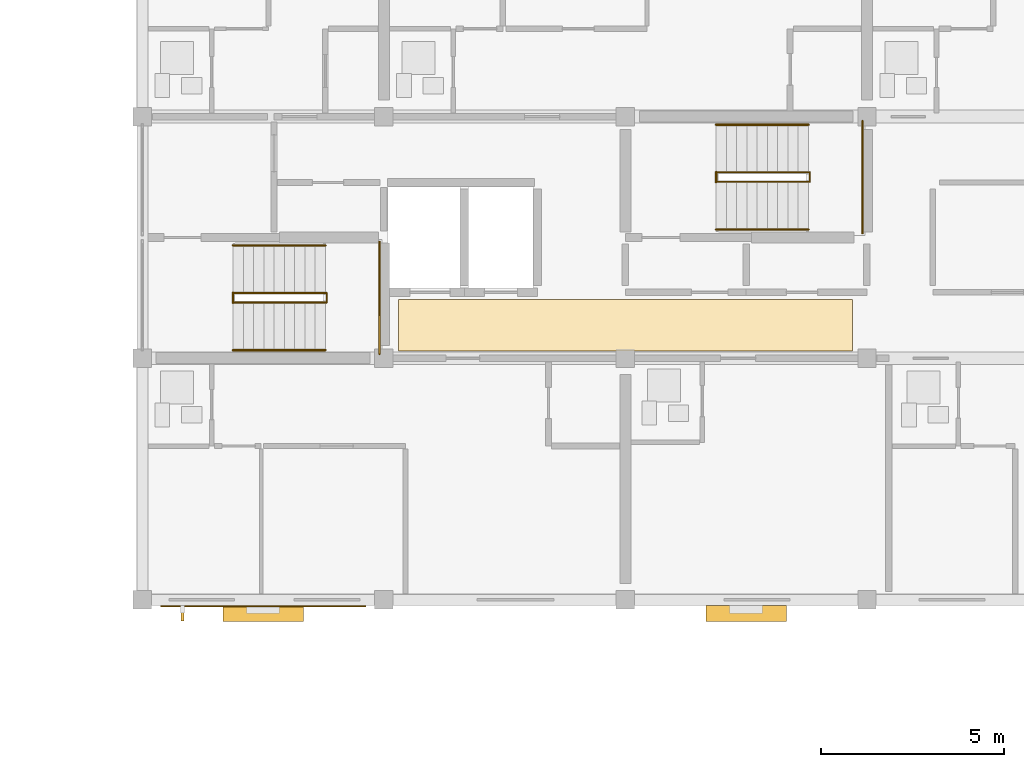
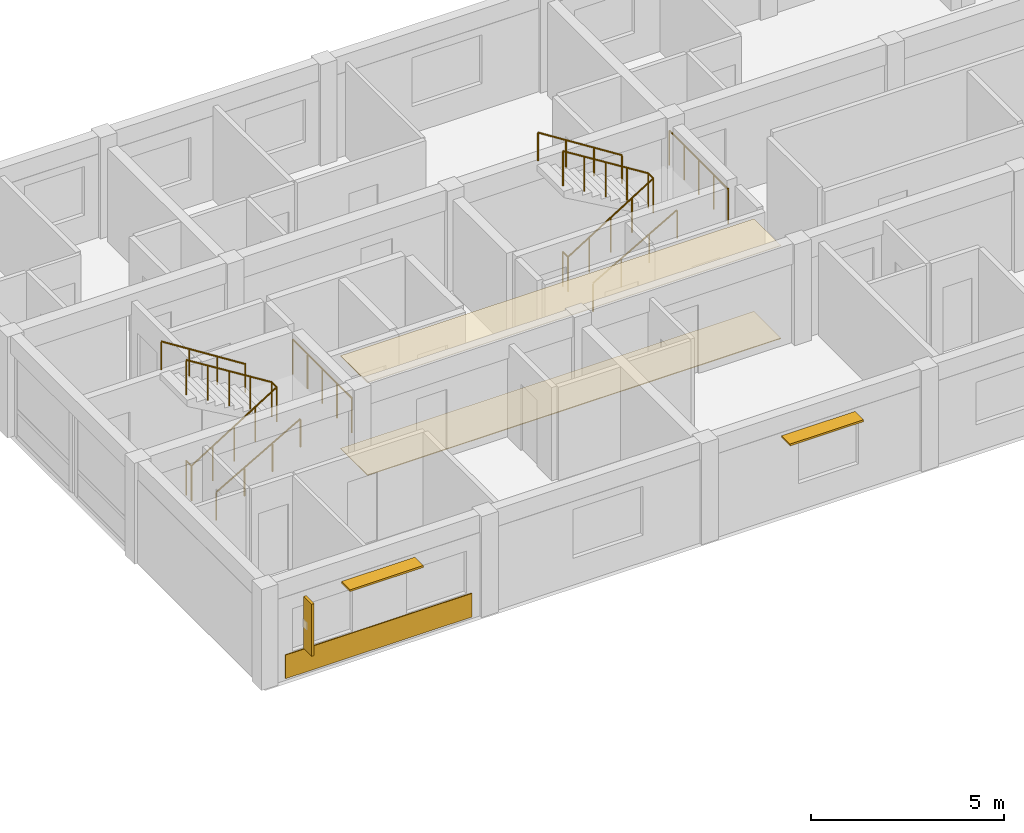
# One storey, part 51 of 53: 10 railings, 3 coverings, 3 shading devices.
"""IFC4 building model written with IfcOpenShell, lengths in metres."""

from ifc_helpers import new_model, si_unit, direction, frame, origin, origin_2d, place, context, subcontext, project, spatial, polyline, rectangle, circle, outline, extrude, material, layer, layer_set, type_object, element, save


model = new_model("IFC4")

# Units and contexts
model_context = context("Model", 3, precision=1e-05, world=origin(), true_north=direction((0.0, 1.0)))
body_context = subcontext(model_context, "Body", "Model", "MODEL_VIEW")
ifc_project = project(units=[si_unit("LENGTHUNIT", "METRE"), si_unit("AREAUNIT", "SQUARE_METRE"), si_unit("VOLUMEUNIT", "CUBIC_METRE"), si_unit("PLANEANGLEUNIT", "RADIAN"), si_unit("MASSUNIT", "GRAM", prefix="KILO")], contexts=[model_context])

# Site, building, storey
site_placement = place(None, origin())
site = spatial("IfcSite", under=ifc_project, at=site_placement, CompositionType="ELEMENT")
building_placement = place(site_placement, origin())
building = spatial("IfcBuilding", under=site, at=building_placement, Name="Kernevlak Ridge Housing Community", CompositionType="ELEMENT")
storey_placement = place(building_placement, frame((0.0, 0.0, 18.0)))
storey = spatial("IfcBuildingStorey", under=building, at=storey_placement, Name="L05", CompositionType="ELEMENT", Elevation=18.0)

# Coverings
ifc_material_1 = material(Name="Acoustic perforated gypsum ceiling board")
ifc_layer_1 = layer(ifc_material_1, 0.02001953125, Name="Acoustic perforated gypsum ceiling board")
ifc_layer_set_1 = layer_set([ifc_layer_1], Name="Acoustic perforated gypsum ceiling board")
covering_type_1 = type_object("IfcCoveringType", Name="CV-01", PredefinedType="CEILING", material=ifc_layer_set_1)
covering_1_placement = place(storey_placement, frame((0.0, 0.0, 2.93994140625)))
element("IfcCovering", 1, at=covering_1_placement, inside=storey, type_object=covering_type_1, Name="Block B L05 lobby acoustic ceiling", PredefinedType="CEILING", context=body_context, shape_type="SweptSolid", body=[
    extrude(outline(polyline([(126.39990234375, 89.39990234375), (138.800048828125, 89.39990234375), (138.800048828125, 90.800048828125), (126.39990234375, 90.800048828125), (126.39990234375, 89.39990234375)])), origin(), (0.0, 0.0, 1.0), 0.02001953125),
])
ifc_material_2 = material(Name="Polished pale terrazzo tile flooring")
ifc_layer_2 = layer(ifc_material_2, 0.02490234375, Name="Polished pale terrazzo tile flooring")
ifc_layer_set_2 = layer_set([ifc_layer_2], Name="Polished pale terrazzo tile flooring")
covering_type_2 = type_object("IfcCoveringType", Name="CV-02", PredefinedType="FLOORING", material=ifc_layer_set_2)
covering_2_placement = place(storey_placement, origin())
element("IfcCovering", 2, at=covering_2_placement, inside=storey, type_object=covering_type_2, Name="Block B L05 lobby terrazzo flooring", PredefinedType="FLOORING", context=body_context, shape_type="SweptSolid", body=[
    extrude(outline(polyline([(126.39990234375, 89.39990234375), (138.800048828125, 89.39990234375), (138.800048828125, 90.800048828125), (126.39990234375, 90.800048828125), (126.39990234375, 89.39990234375)])), origin(), (0.0, 0.0, 1.0), 0.02490234375),
])
ifc_material_3 = material(Name="Aluminium EN AW-5005 enamelled cladding", Category="aluminium")
ifc_layer_3 = layer(ifc_material_3, 0.030029296875, Name="Aluminium EN AW-5005 enamelled cladding")
ifc_layer_set_3 = layer_set([ifc_layer_3], Name="Aluminium EN AW-5005 enamelled cladding")
covering_type_3 = type_object("IfcCoveringType", Name="CV-04", PredefinedType="CLADDING", material=ifc_layer_set_3)
covering_3_placement = place(storey_placement, frame((122.699951171875, 82.425048828125, 0.074951171875), z_axis=(0.0, 0.0, 1.0), x_axis=(1.0, 0.0, 0.0)))
element("IfcCovering", 3, at=covering_3_placement, inside=storey, type_object=covering_type_3, Name="Block B L05 De Stijl blue spandrel cladding", PredefinedType="CLADDING", context=body_context, shape_type="SweptSolid", body=[
    extrude(rectangle(XDim=5.60009765625, YDim=0.030029296875, at=origin_2d()), origin(), (0.0, 0.0, 1.0), 0.75),
])

# Railings
ifc_material_4 = material(Name="Steel S355", Category="steel")
railing_type_1 = type_object("IfcRailingType", Name="GR-02", PredefinedType="GUARDRAIL", material=ifc_material_4)
railing_1_placement = place(storey_placement, frame((121.8798828125, 90.7099609375, 0.0)))
element("IfcRailing", 4, at=railing_1_placement, inside=storey, type_object=railing_type_1, Name="Stair ST-B1 L05 well slot guard", PredefinedType="GUARDRAIL", context=body_context, shape_type="SweptSolid", body=[
    extrude(circle(Radius=0.02392578125, at=origin_2d()), frame((0.0, 0.0, 1.09619140625), z_axis=(0.0, 1.0, 0.0), x_axis=(-1.0, 0.0, 0.0)), (0.0, 0.0, 1.0), 0.280029296875),
    extrude(circle(Radius=0.02099609375, at=origin_2d()), origin(), (0.0, 0.0, 1.0), 1.072021484375),
    extrude(circle(Radius=0.02099609375, at=origin_2d()), frame((0.0, 0.280029296875, 0.0)), (0.0, 0.0, 1.0), 1.072021484375),
])
railing_2_placement = place(storey_placement, frame((121.8798828125, 90.719970703125, 0.0)))
element("IfcRailing", 5, at=railing_2_placement, inside=storey, type_object=railing_type_1, Name="Stair ST-B1 L05 inner well guardrail", PredefinedType="GUARDRAIL", context=body_context, shape_type="SweptSolid", body=[
    extrude(circle(Radius=0.02392578125, at=origin_2d()), frame((0.0, 0.0, 1.09619140625), z_axis=(0.847989217509, 0.0, 0.530013478119), x_axis=(0.0, 1.0, 0.0)), (0.0, 0.0, 1.0), 3.01904296875),
    extrude(circle(Radius=0.02392578125, at=origin_2d()), frame((2.56005859375, 0.0, 2.6962890625), z_axis=(0.0, 1.0, 0.0), x_axis=(-1.0, 0.0, 0.0)), (0.0, 0.0, 1.0), 0.260009765625),
    extrude(circle(Radius=0.02392578125, at=origin_2d()), frame((2.56005859375, 0.260009765625, 2.6962890625), z_axis=(-0.848025563165, 0.0, 0.529955322851), x_axis=(0.0, -1.0, 0.0)), (0.0, 0.0, 1.0), 3.018798828125),
    extrude(circle(Radius=0.02099609375, at=origin_2d()), origin(), (0.0, 0.0, 1.0), 1.072021484375),
    extrude(circle(Radius=0.02099609375, at=origin_2d()), frame((0.64013671875, 0.0, 0.39990234375)), (0.0, 0.0, 1.0), 1.072021484375),
    extrude(circle(Radius=0.02099609375, at=origin_2d()), frame((1.280029296875, 0.0, 0.800048828125)), (0.0, 0.0, 1.0), 1.072021484375),
    extrude(circle(Radius=0.02099609375, at=origin_2d()), frame((1.919921875, 0.0, 1.2001953125)), (0.0, 0.0, 1.0), 1.072021484375),
    extrude(circle(Radius=0.02099609375, at=origin_2d()), frame((2.56005859375, 0.0, 1.60009765625)), (0.0, 0.0, 1.0), 1.072021484375),
    extrude(circle(Radius=0.02099609375, at=origin_2d()), frame((2.56005859375, 0.260009765625, 1.60009765625)), (0.0, 0.0, 1.0), 1.072021484375),
    extrude(circle(Radius=0.02099609375, at=origin_2d()), frame((1.919921875, 0.260009765625, 2.0)), (0.0, 0.0, 1.0), 1.072021484375),
    extrude(circle(Radius=0.02099609375, at=origin_2d()), frame((1.280029296875, 0.260009765625, 2.39990234375)), (0.0, 0.0, 1.0), 1.072021484375),
    extrude(circle(Radius=0.02099609375, at=origin_2d()), frame((0.64013671875, 0.260009765625, 2.800048828125)), (0.0, 0.0, 1.0), 1.072021484375),
    extrude(circle(Radius=0.02099609375, at=origin_2d()), frame((0.0, 0.260009765625, 3.199951171875)), (0.0, 0.0, 1.0), 1.072021484375),
])
railing_3_placement = place(storey_placement, frame((125.8798828125, 89.320068359375, 1.60009765625)))
element("IfcRailing", 6, at=railing_3_placement, inside=storey, type_object=railing_type_1, Name="Stair ST-B1 L05 half-landing guard", PredefinedType="GUARDRAIL", context=body_context, shape_type="SweptSolid", body=[
    extrude(circle(Radius=0.02392578125, at=origin_2d()), frame((0.0, 0.0, 1.09619140625), z_axis=(0.0, 1.0, 0.0), x_axis=(-1.0, 0.0, 0.0)), (0.0, 0.0, 1.0), 3.059814453125),
    extrude(circle(Radius=0.02099609375, at=origin_2d()), origin(), (0.0, 0.0, 1.0), 1.072021484375),
    extrude(circle(Radius=0.02099609375, at=origin_2d()), frame((0.0, 0.764892578125, 0.0)), (0.0, 0.0, 1.0), 1.072021484375),
    extrude(circle(Radius=0.02099609375, at=origin_2d()), frame((0.0, 1.52978515625, 0.0)), (0.0, 0.0, 1.0), 1.072021484375),
    extrude(circle(Radius=0.02099609375, at=origin_2d()), frame((0.0, 2.294921875, 0.0)), (0.0, 0.0, 1.0), 1.072021484375),
    extrude(circle(Radius=0.02099609375, at=origin_2d()), frame((0.0, 3.059814453125, 0.0)), (0.0, 0.0, 1.0), 1.072021484375),
])
railing_4_placement = place(storey_placement, frame((135.080078125, 94.010009765625, 0.0)))
element("IfcRailing", 7, at=railing_4_placement, inside=storey, type_object=railing_type_1, Name="Stair ST-B2 L05 well slot guard", PredefinedType="GUARDRAIL", context=body_context, shape_type="SweptSolid", body=[
    extrude(circle(Radius=0.02392578125, at=origin_2d()), frame((0.0, 0.0, 1.09619140625), z_axis=(0.0, 1.0, 0.0), x_axis=(-1.0, 0.0, 0.0)), (0.0, 0.0, 1.0), 0.280029296875),
    extrude(circle(Radius=0.02099609375, at=origin_2d()), origin(), (0.0, 0.0, 1.0), 1.072021484375),
    extrude(circle(Radius=0.02099609375, at=origin_2d()), frame((0.0, 0.280029296875, 0.0)), (0.0, 0.0, 1.0), 1.072021484375),
])
railing_5_placement = place(storey_placement, frame((135.080078125, 94.02001953125, 0.0)))
element("IfcRailing", 8, at=railing_5_placement, inside=storey, type_object=railing_type_1, Name="Stair ST-B2 L05 inner well guardrail", PredefinedType="GUARDRAIL", context=body_context, shape_type="SweptSolid", body=[
    extrude(circle(Radius=0.02392578125, at=origin_2d()), frame((0.0, 0.0, 1.09619140625), z_axis=(0.847966497998, 0.0, 0.530049826217), x_axis=(0.0, 1.0, 0.0)), (0.0, 0.0, 1.0), 3.018798828125),
    extrude(circle(Radius=0.02392578125, at=origin_2d()), frame((2.559814453125, 0.0, 2.6962890625), z_axis=(0.0, 1.0, 0.0), x_axis=(-1.0, 0.0, 0.0)), (0.0, 0.0, 1.0), 0.260009765625),
    extrude(circle(Radius=0.02392578125, at=origin_2d()), frame((2.559814453125, 0.260009765625, 2.6962890625), z_axis=(-0.848002847666, 0.0, 0.529991670077), x_axis=(0.0, -1.0, 0.0)), (0.0, 0.0, 1.0), 3.0185546875),
    extrude(circle(Radius=0.02099609375, at=origin_2d()), origin(), (0.0, 0.0, 1.0), 1.072021484375),
    extrude(circle(Radius=0.02099609375, at=origin_2d()), frame((0.639892578125, 0.0, 0.39990234375)), (0.0, 0.0, 1.0), 1.072021484375),
    extrude(circle(Radius=0.02099609375, at=origin_2d()), frame((1.27978515625, 0.0, 0.800048828125)), (0.0, 0.0, 1.0), 1.072021484375),
    extrude(circle(Radius=0.02099609375, at=origin_2d()), frame((1.919921875, 0.0, 1.2001953125)), (0.0, 0.0, 1.0), 1.072021484375),
    extrude(circle(Radius=0.02099609375, at=origin_2d()), frame((2.559814453125, 0.0, 1.60009765625)), (0.0, 0.0, 1.0), 1.072021484375),
    extrude(circle(Radius=0.02099609375, at=origin_2d()), frame((2.559814453125, 0.260009765625, 1.60009765625)), (0.0, 0.0, 1.0), 1.072021484375),
    extrude(circle(Radius=0.02099609375, at=origin_2d()), frame((1.919921875, 0.260009765625, 2.0)), (0.0, 0.0, 1.0), 1.072021484375),
    extrude(circle(Radius=0.02099609375, at=origin_2d()), frame((1.27978515625, 0.260009765625, 2.39990234375)), (0.0, 0.0, 1.0), 1.072021484375),
    extrude(circle(Radius=0.02099609375, at=origin_2d()), frame((0.639892578125, 0.260009765625, 2.800048828125)), (0.0, 0.0, 1.0), 1.072021484375),
    extrude(circle(Radius=0.02099609375, at=origin_2d()), frame((0.0, 0.260009765625, 3.199951171875)), (0.0, 0.0, 1.0), 1.072021484375),
])
railing_6_placement = place(storey_placement, frame((139.080078125, 92.6201171875, 1.60009765625)))
element("IfcRailing", 9, at=railing_6_placement, inside=storey, type_object=railing_type_1, Name="Stair ST-B2 L05 half-landing guard", PredefinedType="GUARDRAIL", context=body_context, shape_type="SweptSolid", body=[
    extrude(circle(Radius=0.02392578125, at=origin_2d()), frame((0.0, 0.0, 1.09619140625), z_axis=(0.0, 1.0, 0.0), x_axis=(-1.0, 0.0, 0.0)), (0.0, 0.0, 1.0), 3.059814453125),
    extrude(circle(Radius=0.02099609375, at=origin_2d()), origin(), (0.0, 0.0, 1.0), 1.072021484375),
    extrude(circle(Radius=0.02099609375, at=origin_2d()), frame((0.0, 0.764892578125, 0.0)), (0.0, 0.0, 1.0), 1.072021484375),
    extrude(circle(Radius=0.02099609375, at=origin_2d()), frame((0.0, 1.52978515625, 0.0)), (0.0, 0.0, 1.0), 1.072021484375),
    extrude(circle(Radius=0.02099609375, at=origin_2d()), frame((0.0, 2.294921875, 0.0)), (0.0, 0.0, 1.0), 1.072021484375),
    extrude(circle(Radius=0.02099609375, at=origin_2d()), frame((0.0, 3.059814453125, 0.0)), (0.0, 0.0, 1.0), 1.072021484375),
])
ifc_material_5 = material(Name="Stainless steel EN 1.4401", Category="steel")
railing_type_2 = type_object("IfcRailingType", Name="HR-01", PredefinedType="HANDRAIL", material=ifc_material_5)
railing_7_placement = place(storey_placement, frame((121.8798828125, 89.419921875, 0.159912109375)))
element("IfcRailing", 10, at=railing_7_placement, inside=storey, type_object=railing_type_2, Name="Stair ST-B1 L05 flight 1 handrail", PredefinedType="HANDRAIL", context=body_context, shape_type="SweptSolid", body=[
    extrude(circle(Radius=0.02392578125, at=origin_2d()), frame((0.0, 0.0, 0.89599609375), z_axis=(0.868217259934, 0.0, 0.496184229447), x_axis=(0.0, 1.0, 0.0)), (0.0, 0.0, 1.0), 2.902587890625),
    extrude(circle(Radius=0.02099609375, at=origin_2d()), origin(), (0.0, 0.0, 1.0), 0.871826171875),
    extrude(circle(Radius=0.02099609375, at=origin_2d()), frame((0.840087890625, 0.0, 0.47998046875)), (0.0, 0.0, 1.0), 0.871826171875),
    extrude(circle(Radius=0.02099609375, at=origin_2d()), frame((1.679931640625, 0.0, 0.960205078125)), (0.0, 0.0, 1.0), 0.871826171875),
    extrude(circle(Radius=0.02099609375, at=origin_2d()), frame((2.52001953125, 0.0, 1.440185546875)), (0.0, 0.0, 1.0), 0.871826171875),
])
railing_8_placement = place(storey_placement, frame((124.39990234375, 92.280029296875, 1.60009765625)))
element("IfcRailing", 11, at=railing_8_placement, inside=storey, type_object=railing_type_2, Name="Stair ST-B1 L05 flight 2 handrail", PredefinedType="HANDRAIL", context=body_context, shape_type="SweptSolid", body=[
    extrude(circle(Radius=0.02392578125, at=origin_2d()), frame((0.0, 0.0, 0.89599609375), z_axis=(-0.84423690053, 0.0, 0.535970200462), x_axis=(0.0, -1.0, 0.0)), (0.0, 0.0, 1.0), 2.98486328125),
    extrude(circle(Radius=0.02099609375, at=origin_2d()), origin(), (0.0, 0.0, 1.0), 0.871826171875),
    extrude(circle(Radius=0.02099609375, at=origin_2d()), frame((-0.840087890625, 0.0, 0.533203125)), (0.0, 0.0, 1.0), 0.871826171875),
    extrude(circle(Radius=0.02099609375, at=origin_2d()), frame((-1.679931640625, 0.0, 1.066650390625)), (0.0, 0.0, 1.0), 0.871826171875),
    extrude(circle(Radius=0.02099609375, at=origin_2d()), frame((-2.52001953125, 0.0, 1.599853515625)), (0.0, 0.0, 1.0), 0.871826171875),
])
railing_9_placement = place(storey_placement, frame((135.080078125, 92.719970703125, 0.159912109375)))
element("IfcRailing", 12, at=railing_9_placement, inside=storey, type_object=railing_type_2, Name="Stair ST-B2 L05 flight 1 handrail", PredefinedType="HANDRAIL", context=body_context, shape_type="SweptSolid", body=[
    extrude(circle(Radius=0.02392578125, at=origin_2d()), frame((0.0, 0.0, 0.89599609375), z_axis=(0.868217259934, 0.0, 0.496184229447), x_axis=(0.0, 1.0, 0.0)), (0.0, 0.0, 1.0), 2.902587890625),
    extrude(circle(Radius=0.02099609375, at=origin_2d()), origin(), (0.0, 0.0, 1.0), 0.871826171875),
    extrude(circle(Radius=0.02099609375, at=origin_2d()), frame((0.840087890625, 0.0, 0.47998046875)), (0.0, 0.0, 1.0), 0.871826171875),
    extrude(circle(Radius=0.02099609375, at=origin_2d()), frame((1.679931640625, 0.0, 0.960205078125)), (0.0, 0.0, 1.0), 0.871826171875),
    extrude(circle(Radius=0.02099609375, at=origin_2d()), frame((2.52001953125, 0.0, 1.440185546875)), (0.0, 0.0, 1.0), 0.871826171875),
])
railing_10_placement = place(storey_placement, frame((137.60009765625, 95.580078125, 1.60009765625)))
element("IfcRailing", 13, at=railing_10_placement, inside=storey, type_object=railing_type_2, Name="Stair ST-B2 L05 flight 2 handrail", PredefinedType="HANDRAIL", context=body_context, shape_type="SweptSolid", body=[
    extrude(circle(Radius=0.02392578125, at=origin_2d()), frame((0.0, 0.0, 0.89599609375), z_axis=(-0.84423690053, 0.0, 0.535970200462), x_axis=(0.0, -1.0, 0.0)), (0.0, 0.0, 1.0), 2.98486328125),
    extrude(circle(Radius=0.02099609375, at=origin_2d()), origin(), (0.0, 0.0, 1.0), 0.871826171875),
    extrude(circle(Radius=0.02099609375, at=origin_2d()), frame((-0.840087890625, 0.0, 0.533203125)), (0.0, 0.0, 1.0), 0.871826171875),
    extrude(circle(Radius=0.02099609375, at=origin_2d()), frame((-1.679931640625, 0.0, 1.066650390625)), (0.0, 0.0, 1.0), 0.871826171875),
    extrude(circle(Radius=0.02099609375, at=origin_2d()), frame((-2.52001953125, 0.0, 1.599853515625)), (0.0, 0.0, 1.0), 0.871826171875),
])

# Shading devices
ifc_material_6 = material(Name="Aluminium EN AW-6060 anodised", Category="aluminium")
ifc_layer_4 = layer(ifc_material_6, 0.06005859375, Name="Aluminium EN AW-6060 anodised")
ifc_layer_set_4 = layer_set([ifc_layer_4], Name="Aluminium EN AW-6060 anodised")
shading_device_type_1 = type_object("IfcShadingDeviceType", Name="LV-01", PredefinedType="JALOUSIE", material=ifc_layer_set_4)
for number, where, z_axis, x_axis, name in (
    (14, (122.699951171875, 82.219970703125, 2.489990234375), (0.0, 0.0, 1.0), (1.0, 0.0, 0.0), "Horizontal solar louvre 19"),
    (15, (135.89990234375, 82.219970703125, 2.489990234375), (0.0, 0.0, 1.0), (1.0, 0.0, 0.0), "Horizontal solar louvre 20"),
):
    element("IfcShadingDevice", number, at=place(storey_placement, frame(where, z_axis=z_axis, x_axis=x_axis)), inside=storey, type_object=shading_device_type_1, Name=name, PredefinedType="JALOUSIE", context=body_context, shape_type="SweptSolid", body=[
        extrude(rectangle(XDim=2.199951171875, YDim=0.43994140625, at=origin_2d()), origin(), (0.0, 0.0, 1.0), 0.06005859375),
    ])
ifc_material_7 = material(Name="Aluminium EN AW-6060 enamelled", Category="aluminium")
shading_device_type_2 = type_object("IfcShadingDeviceType", Name="LV-02", PredefinedType="USERDEFINED", material=ifc_material_7)
shading_device_placement = place(storey_placement, frame((120.5, 82.22998046875, 0.824951171875), z_axis=(0.0, 0.0, 1.0), x_axis=(1.0, 0.0, 0.0)))
element("IfcShadingDevice", 16, at=shading_device_placement, inside=storey, type_object=shading_device_type_2, Name="De Stijl yellow vertical solar fin 19", ObjectType="LOUVRE", PredefinedType="USERDEFINED", context=body_context, shape_type="SweptSolid", body=[
    extrude(rectangle(XDim=0.080078125, YDim=0.419921875, at=origin_2d()), origin(), (0.0, 0.0, 1.0), 1.64990234375),
])

save(model, "model.ifc")
